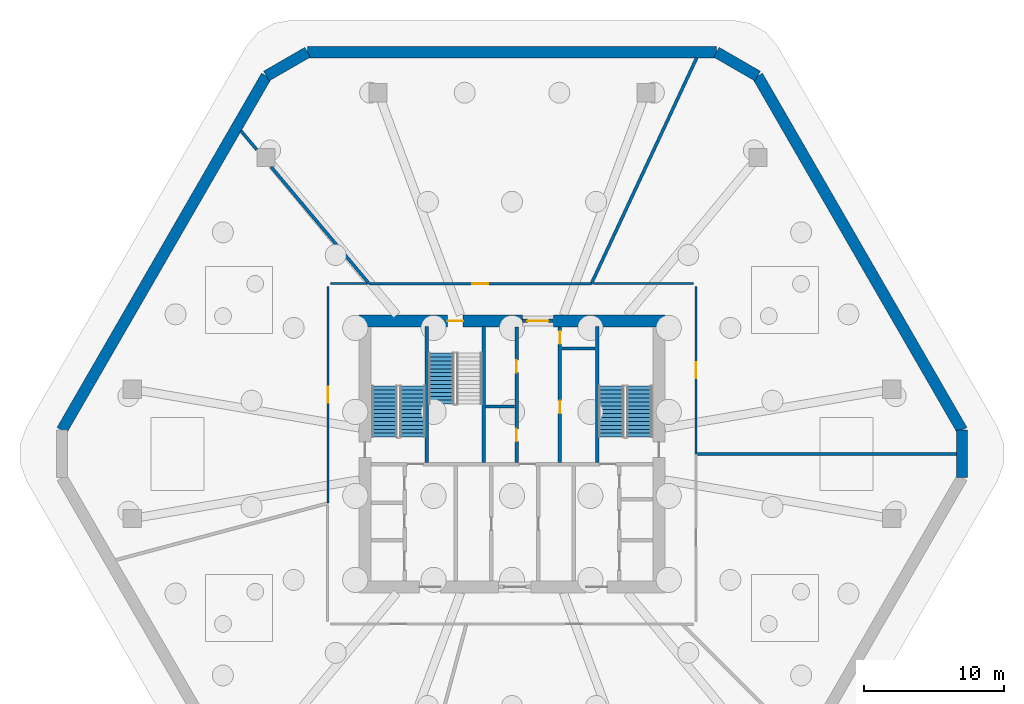
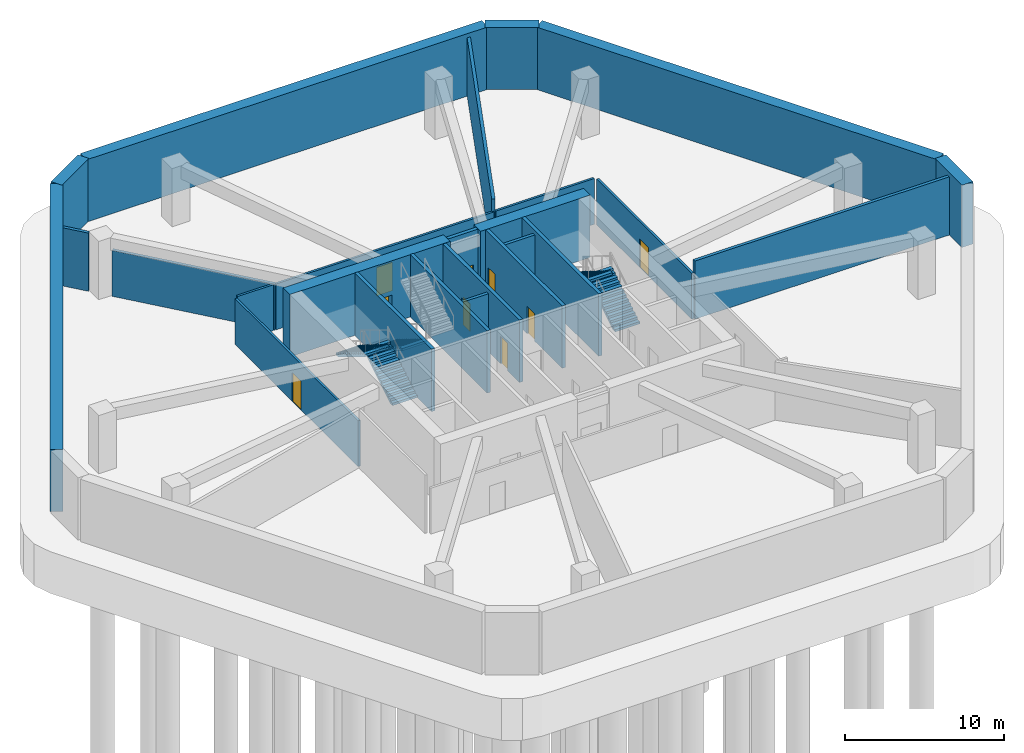
# One storey, part 3 of 5: 25 walls, 9 doors, 5 stair flights, 9 openings, 3 elements without a shape of their own.
"""IFC4 building model written with IfcOpenShell, lengths in metres."""

from ifc_helpers import new_model, si_unit, direction, frame, frame_2d, origin, place, context, subcontext, project, spatial, polyline, rectangle, outline, extrude, material, layer, layer_set, type_object, element, fill, aggregate, save


model = new_model("IFC4")

# Units and contexts
model_context = context("Model", 3, precision=1e-05, world=origin(), true_north=direction((0.0, 1.0)))
body_context = subcontext(model_context, "Body", "Model", "MODEL_VIEW")
ifc_project = project(units=[si_unit("LENGTHUNIT", "METRE"), si_unit("AREAUNIT", "SQUARE_METRE"), si_unit("VOLUMEUNIT", "CUBIC_METRE"), si_unit("PLANEANGLEUNIT", "RADIAN"), si_unit("MASSUNIT", "GRAM", prefix="KILO")], contexts=[model_context])

# Site, building, storey
site_placement = place(None, origin())
site = spatial("IfcSite", under=ifc_project, at=site_placement, CompositionType="ELEMENT")
building_placement = place(site_placement, origin())
building = spatial("IfcBuilding", under=site, at=building_placement, Name="Zuhravey Tower", CompositionType="ELEMENT")
storey_placement = place(building_placement, frame((0.0, 0.0, -9.60009765625)))
storey = spatial("IfcBuildingStorey", under=building, at=storey_placement, Name="B02", CompositionType="ELEMENT", Elevation=-9.60009765625)

# Walls
ifc_material_1 = material(Name="Concrete C50/60", Category="concrete")
ifc_layer_1 = layer(ifc_material_1, 0.800048828125)
ifc_layer_set_1 = layer_set([ifc_layer_1], Name="Concrete C50/60")
wall_type_1 = type_object("IfcWallType", Name="Basement Retaining Wall 800", PredefinedType="USERDEFINED", material=ifc_layer_set_1)
wall_1_placement = place(storey_placement, frame((68.156494140625, 30.300048828125, 0.0), z_axis=(0.0, 0.0, 1.0), x_axis=(0.0, 1.0, 0.0)))
element("IfcWall", 1, at=wall_1_placement, inside=storey, type_object=wall_type_1, Name="B02 Retaining Wall RW80-01", ObjectType="RETAININGWALL", PredefinedType="USERDEFINED", context=body_context, shape_type="SweptSolid", body=[
    extrude(rectangle(XDim=3.39990234375, YDim=0.800048828125, at=frame_2d((1.699951171875, 0.0))), origin(), (0.0, 0.0, 1.0), 4.800048828125),
])
wall_2_placement = place(storey_placement, frame((68.156494140625, 33.699951171875, 0.0), z_axis=(0.0, 0.0, 1.0), x_axis=(-0.499995192696, 0.866028179265, 0.0)))
element("IfcWall", 2, at=wall_2_placement, inside=storey, type_object=wall_type_1, Name="B02 Retaining Wall RW80-02", ObjectType="RETAININGWALL", PredefinedType="USERDEFINED", context=body_context, shape_type="SweptSolid", body=[
    extrude(rectangle(XDim=29.212158203125, YDim=0.800048828125, at=frame_2d((14.60595703125, 0.0))), origin(), (0.0, 0.0, 1.0), 4.800048828125),
])
wall_3_placement = place(storey_placement, frame((53.550537109375, 58.99853515625, 0.0), z_axis=(0.0, 0.0, 1.0), x_axis=(-0.866020560687, 0.500008388397, 0.0)))
element("IfcWall", 3, at=wall_3_placement, inside=storey, type_object=wall_type_1, Name="B02 Retaining Wall RW80-03", ObjectType="RETAININGWALL", PredefinedType="USERDEFINED", context=body_context, shape_type="SweptSolid", body=[
    extrude(rectangle(XDim=3.39990234375, YDim=0.800048828125, at=frame_2d((1.699951171875, 0.0))), origin(), (0.0, 0.0, 1.0), 4.800048828125),
])
wall_4_placement = place(storey_placement, frame((50.606201171875, 60.698486328125, 0.0), z_axis=(0.0, 0.0, 1.0), x_axis=(-1.0, 0.0, 0.0)))
element("IfcWall", 4, at=wall_4_placement, inside=storey, type_object=wall_type_1, Name="B02 Retaining Wall RW80-04", ObjectType="RETAININGWALL", PredefinedType="USERDEFINED", context=body_context, shape_type="SweptSolid", body=[
    extrude(rectangle(XDim=29.21240234375, YDim=0.800048828125, at=frame_2d((14.606201171875, 0.0))), origin(), (0.0, 0.0, 1.0), 4.800048828125),
])
wall_5_placement = place(storey_placement, frame((21.393798828125, 60.698486328125, 0.0), z_axis=(0.0, 0.0, 1.0), x_axis=(-0.866020560687, -0.500008388397, 0.0)))
element("IfcWall", 5, at=wall_5_placement, inside=storey, type_object=wall_type_1, Name="B02 Retaining Wall RW80-05", ObjectType="RETAININGWALL", PredefinedType="USERDEFINED", context=body_context, shape_type="SweptSolid", body=[
    extrude(rectangle(XDim=3.39990234375, YDim=0.800048828125, at=frame_2d((1.699951171875, 0.0))), origin(), (0.0, 0.0, 1.0), 4.800048828125),
])
wall_6_placement = place(storey_placement, frame((18.449462890625, 58.99853515625, 0.0), z_axis=(0.0, 0.0, 1.0), x_axis=(-0.499995192696, -0.866028179265, 0.0)))
element("IfcWall", 6, at=wall_6_placement, inside=storey, type_object=wall_type_1, Name="B02 Retaining Wall RW80-06", ObjectType="RETAININGWALL", PredefinedType="USERDEFINED", context=body_context, shape_type="SweptSolid", body=[
    extrude(rectangle(XDim=29.212158203125, YDim=0.800048828125, at=frame_2d((14.60595703125, 0.0))), origin(), (0.0, 0.0, 1.0), 4.800048828125),
])
ifc_material_2 = material(Name="Concrete C60/75", Category="concrete")
ifc_layer_2 = layer(ifc_material_2, 0.85009765625)
ifc_layer_set_2 = layer_set([ifc_layer_2], Name="Concrete C60/75")
wall_type_2 = type_object("IfcWallType", Name="Core Shear Wall 850", PredefinedType="SHEAR", material=ifc_layer_set_2)
wall_7_placement = place(storey_placement, frame((46.925048828125, 41.5, 0.0), z_axis=(0.0, 0.0, 1.0), x_axis=(-1.0, 0.0, 0.0)))
element("IfcWall", 7, at=wall_7_placement, inside=storey, type_object=wall_type_2, Name="B02 North-East Core Shear Wall CW85", PredefinedType="SHEAR", context=body_context, shape_type="SweptSolid", body=[
    extrude(rectangle(XDim=7.97509765625, YDim=0.85009765625, at=frame_2d((3.987548828125, 0.0))), origin(), (0.0, 0.0, 1.0), 4.800048828125),
])

# Wall, opening, door
wall_8_placement = place(storey_placement, frame((36.75, 41.5, 0.0), z_axis=(0.0, 0.0, 1.0), x_axis=(-1.0, 0.0, 0.0)))
wall_8 = element("IfcWall", 8, at=wall_8_placement, inside=storey, type_object=wall_type_2, Name="B02 North-West Core Shear Wall CW85", PredefinedType="SHEAR", context=body_context, shape_type="SweptSolid", body=[
    extrude(rectangle(XDim=11.675048828125, YDim=0.85009765625, at=frame_2d((5.83740234375, 0.0))), origin(), (0.0, 0.0, 1.0), 4.800048828125),
])
opening_1_placement = place(wall_8_placement, frame((4.25, 0.0, 0.0)))
opening_1 = element("IfcOpeningElement", 9, at=opening_1_placement, cuts=wall_8, Name="Opening STD1", PredefinedType="OPENING", context=body_context, shape_type="SweptSolid", body=[
    extrude(rectangle(XDim=1.10009765625, YDim=2.14990234375, at=frame_2d((0.550048828125, 1.074951171875))), frame((0.0, 0.43701171875, 0.0), z_axis=(0.0, -1.0, 0.0), x_axis=(1.0, 0.0, 0.0)), (0.0, 0.0, 1.0), 0.8740234375),
])
ifc_material_3 = material(Name="Galvanised fire-rated steel leaf", Category="steel")
door_type_1 = type_object("IfcDoorType", Name="Protected Stair Fire Door 1100x2150", OperationType="NOTDEFINED", PredefinedType="USERDEFINED", material=ifc_material_3)
door_1_placement = place(opening_1_placement, origin())
door_1 = element("IfcDoor", 10, at=door_1_placement, inside=storey, type_object=door_type_1, Name="B02 Stair ST3 Door", ObjectType="EXITDOOR", OperationType="SINGLE_SWING_RIGHT", OverallHeight=2.14990234375, OverallWidth=1.10009765625, PredefinedType="USERDEFINED", context=body_context, shape_type="SweptSolid", body=[
    extrude(rectangle(XDim=1.10009765625, YDim=2.14990234375, at=frame_2d((0.550048828125, 1.074951171875))), frame((0.0, 0.02490234375, 0.0), z_axis=(0.0, -1.0, 0.0), x_axis=(1.0, 0.0, 0.0)), (0.0, 0.0, 1.0), 0.050048828125),
])
fill(opening_1, door_1)

ifc_material_4 = material(Name="Gypsum fire-rated stud partition")
ifc_layer_3 = layer(ifc_material_4, 0.159912109375)
ifc_layer_set_3 = layer_set([ifc_layer_3], Name="Gypsum fire-rated stud partition")
wall_type_3 = type_object("IfcWallType", Name="Corridor Fire Partition 160", PredefinedType="PARTITIONING", material=ifc_layer_set_3)
wall_9_placement = place(storey_placement, frame((49.155029296875, 32.0, 0.0), z_axis=(0.0, 0.0, 1.0), x_axis=(0.0, 1.0, 0.0)))
wall_9 = element("IfcWall", 11, at=wall_9_placement, inside=storey, type_object=wall_type_3, Name="B02 IW16 Partition 019", PredefinedType="PARTITIONING", context=body_context, shape_type="SweptSolid", body=[
    extrude(rectangle(XDim=11.97509765625, YDim=0.159912109375, at=frame_2d((5.987548828125, 0.0))), origin(), (0.0, 0.0, 1.0), 3.530029296875),
])
opening_2_placement = place(wall_9_placement, frame((5.41259765625, 0.0, 0.0)))
opening_2 = element("IfcOpeningElement", 12, at=opening_2_placement, cuts=wall_9, Name="Opening CLD1", PredefinedType="OPENING", context=body_context, shape_type="SweptSolid", body=[
    extrude(rectangle(XDim=1.14990234375, YDim=2.199951171875, at=frame_2d((0.574951171875, 1.10009765625))), frame((0.0, 0.092041015625, 0.0), z_axis=(0.0, -1.0, 0.0), x_axis=(1.0, 0.0, 0.0)), (0.0, 0.0, 1.0), 0.183837890625),
])
ifc_material_5 = material(Name="Acoustic timber leaf with vision lite", Category="wood")
door_type_2 = type_object("IfcDoorType", Name="Classroom Acoustic Door 1150x2200", OperationType="NOTDEFINED", PredefinedType="DOOR", material=ifc_material_5)
door_2_placement = place(opening_2_placement, frame((1.14990234375, 0.0, 0.0), z_axis=(0.0, 0.0, 1.0), x_axis=(-1.0, 0.0, 0.0)))
door_2 = element("IfcDoor", 13, at=door_2_placement, inside=storey, type_object=door_type_2, Name="B02 Door 019.1", OperationType="SINGLE_SWING_LEFT", OverallHeight=2.199951171875, OverallWidth=1.14990234375, PredefinedType="DOOR", context=body_context, shape_type="SweptSolid", body=[
    extrude(rectangle(XDim=1.14990234375, YDim=2.199951171875, at=frame_2d((0.574951171875, 1.10009765625))), frame((0.0, 0.02490234375, 0.0), z_axis=(0.0, -1.0, 0.0), x_axis=(1.0, 0.0, 0.0)), (0.0, 0.0, 1.0), 0.050048828125),
])
fill(opening_2, door_2)

wall_10_placement = place(storey_placement, frame((41.66796875, 44.155029296875, 0.0), z_axis=(0.0, 0.0, 1.0), x_axis=(-1.0, 0.0, 0.0)))
wall_10 = element("IfcWall", 14, at=wall_10_placement, inside=storey, type_object=wall_type_3, Name="B02 IW16 Partition 020", PredefinedType="PARTITIONING", context=body_context, shape_type="SweptSolid", body=[
    extrude(rectangle(XDim=15.8671875, YDim=0.159912109375, at=frame_2d((7.93359375, 0.0))), origin(), (0.0, 0.0, 1.0), 3.530029296875),
])
opening_3_placement = place(wall_10_placement, frame((7.358642578125, 0.0, 0.0)))
opening_3 = element("IfcOpeningElement", 15, at=opening_3_placement, cuts=wall_10, Name="Opening CLD1", PredefinedType="OPENING", context=body_context, shape_type="SweptSolid", body=[
    extrude(rectangle(XDim=1.14990234375, YDim=2.199951171875, at=frame_2d((0.574951171875, 1.10009765625))), frame((0.0, 0.092041015625, 0.0), z_axis=(0.0, -1.0, 0.0), x_axis=(1.0, 0.0, 0.0)), (0.0, 0.0, 1.0), 0.183837890625),
])
door_3_placement = place(opening_3_placement, frame((1.14990234375, 0.0, 0.0), z_axis=(0.0, 0.0, 1.0), x_axis=(-1.0, 0.0, 0.0)))
door_3 = element("IfcDoor", 16, at=door_3_placement, inside=storey, type_object=door_type_2, Name="B02 Door 020.1", OperationType="SINGLE_SWING_RIGHT", OverallHeight=2.199951171875, OverallWidth=1.14990234375, PredefinedType="DOOR", context=body_context, shape_type="SweptSolid", body=[
    extrude(rectangle(XDim=1.14990234375, YDim=2.199951171875, at=frame_2d((0.574951171875, 1.10009765625))), frame((0.0, 0.02490234375, 0.0), z_axis=(0.0, -1.0, 0.0), x_axis=(1.0, 0.0, 0.0)), (0.0, 0.0, 1.0), 0.050048828125),
])
fill(opening_3, door_3)

wall_11_placement = place(storey_placement, frame((22.844970703125, 43.97509765625, 0.0), z_axis=(0.0, 0.0, 1.0), x_axis=(0.0, -1.0, 0.0)))
wall_11 = element("IfcWall", 17, at=wall_11_placement, inside=storey, type_object=wall_type_3, Name="B02 IW16 Partition 021", PredefinedType="PARTITIONING", context=body_context, shape_type="SweptSolid", body=[
    extrude(rectangle(XDim=15.5, YDim=0.159912109375, at=frame_2d((7.75, 0.0))), origin(), (0.0, 0.0, 1.0), 3.530029296875),
])
opening_4_placement = place(wall_11_placement, frame((7.1748046875, 0.0, 0.0)))
opening_4 = element("IfcOpeningElement", 18, at=opening_4_placement, cuts=wall_11, Name="Opening CLD1", PredefinedType="OPENING", context=body_context, shape_type="SweptSolid", body=[
    extrude(rectangle(XDim=1.14990234375, YDim=2.199951171875, at=frame_2d((0.574951171875, 1.10009765625))), frame((0.0, 0.092041015625, 0.0), z_axis=(0.0, -1.0, 0.0), x_axis=(1.0, 0.0, 0.0)), (0.0, 0.0, 1.0), 0.183837890625),
])
door_4_placement = place(opening_4_placement, frame((1.14990234375, 0.0, 0.0), z_axis=(0.0, 0.0, 1.0), x_axis=(-1.0, 0.0, 0.0)))
door_4 = element("IfcDoor", 19, at=door_4_placement, inside=storey, type_object=door_type_2, Name="B02 Door 021.1", OperationType="SINGLE_SWING_LEFT", OverallHeight=2.199951171875, OverallWidth=1.14990234375, PredefinedType="DOOR", context=body_context, shape_type="SweptSolid", body=[
    extrude(rectangle(XDim=1.14990234375, YDim=2.199951171875, at=frame_2d((0.574951171875, 1.10009765625))), frame((0.0, 0.02490234375, 0.0), z_axis=(0.0, -1.0, 0.0), x_axis=(1.0, 0.0, 0.0)), (0.0, 0.0, 1.0), 0.050048828125),
])
fill(opening_4, door_4)

# Walls
wall_12_placement = place(storey_placement, frame((48.97509765625, 44.175048828125, 0.0), z_axis=(0.0, 0.0, 1.0), x_axis=(-1.0, 0.0, 0.0)))
element("IfcWall", 20, at=wall_12_placement, inside=storey, type_object=wall_type_3, Name="B02 IW16 Partition 034", PredefinedType="PARTITIONING", context=body_context, shape_type="SweptSolid", body=[
    extrude(rectangle(XDim=7.167724609375, YDim=0.159912109375, at=frame_2d((3.583984375, 0.0))), origin(), (0.0, 0.0, 1.0), 3.530029296875),
])
wall_13_placement = place(storey_placement, frame((25.6298828125, 44.175048828125, 0.0), z_axis=(0.0, 0.0, 1.0), x_axis=(-1.0, 0.0, 0.0)))
element("IfcWall", 21, at=wall_13_placement, inside=storey, type_object=wall_type_3, Name="B02 IW16 Partition 035", PredefinedType="PARTITIONING", context=body_context, shape_type="SweptSolid", body=[
    extrude(rectangle(XDim=2.60498046875, YDim=0.159912109375, at=frame_2d((1.302490234375, 0.0))), origin(), (0.0, 0.0, 1.0), 3.530029296875),
])

# Wall, opening, door
ifc_layer_4 = layer(ifc_material_1, 0.25)
ifc_layer_set_4 = layer_set([ifc_layer_4], Name="Concrete C50/60")
wall_type_4 = type_object("IfcWallType", Name="Firefighting Shaft & Stair Wall 250", PredefinedType="SOLIDWALL", material=ifc_layer_set_4)
wall_14_placement = place(storey_placement, frame((36.760009765625, 41.5, 0.0), z_axis=(0.0, 0.0, 1.0), x_axis=(1.0, 0.0, 0.0)))
wall_14 = element("IfcWall", 22, at=wall_14_placement, inside=storey, type_object=wall_type_4, Name="B02 FW25 Shaft Wall 002", PredefinedType="SOLIDWALL", context=body_context, shape_type="SweptSolid", body=[
    extrude(rectangle(XDim=2.179931640625, YDim=0.25, at=frame_2d((1.08984375, 0.0))), origin(), (0.0, 0.0, 1.0), 4.800048828125),
])
opening_5_placement = place(wall_14_placement, frame((0.340087890625, 0.0, 0.0)))
opening_5 = element("IfcOpeningElement", 23, at=opening_5_placement, cuts=wall_14, Name="Opening FFD1", PredefinedType="OPENING", context=body_context, shape_type="SweptSolid", body=[
    extrude(rectangle(XDim=1.5, YDim=2.14990234375, at=frame_2d((0.75, 1.074951171875))), frame((0.0, 0.136962890625, 0.0), z_axis=(0.0, -1.0, 0.0), x_axis=(1.0, 0.0, 0.0)), (0.0, 0.0, 1.0), 0.27392578125),
])
door_type_3 = type_object("IfcDoorType", Name="Firefighting Lobby Double Door 1500x2150", OperationType="DOUBLE_DOOR_SINGLE_SWING", PredefinedType="DOOR", material=ifc_material_3)
door_5_placement = place(opening_5_placement, origin())
door_5 = element("IfcDoor", 24, at=door_5_placement, inside=storey, type_object=door_type_3, Name="B02 North Lift Lobby Exit Door", OperationType="DOUBLE_DOOR_SINGLE_SWING", OverallHeight=2.14990234375, OverallWidth=1.5, PredefinedType="DOOR", context=body_context, shape_type="SweptSolid", body=[
    extrude(rectangle(XDim=1.5, YDim=2.14990234375, at=frame_2d((0.75, 1.074951171875))), frame((0.0, 0.02490234375, 0.0), z_axis=(0.0, -1.0, 0.0), x_axis=(1.0, 0.0, 0.0)), (0.0, 0.0, 1.0), 0.050048828125),
])
fill(opening_5, door_5)

# Walls
for number, where, z_axis, x_axis, name in (
    (25, (29.925048828125, 31.39990234375, 0.0), (0.0, 0.0, 1.0), (0.0, 1.0, 0.0), "B02 FW25 Shaft Wall 004"),
    (26, (33.97509765625, 31.39990234375, 0.0), (0.0, 0.0, 1.0), (0.0, 1.0, 0.0), "B02 FW25 Shaft Wall 005"),
    (27, (42.074951171875, 31.39990234375, 0.0), (0.0, 0.0, 1.0), (0.0, 1.0, 0.0), "B02 FW25 Shaft Wall 006"),
):
    element("IfcWall", number, at=place(storey_placement, frame(where, z_axis=z_axis, x_axis=x_axis)), inside=storey, type_object=wall_type_4, Name=name, PredefinedType="SOLIDWALL", context=body_context, shape_type="SweptSolid", body=[
        extrude(rectangle(XDim=9.7001953125, YDim=0.25, at=frame_2d((4.85009765625, 0.0))), origin(), (0.0, 0.0, 1.0), 4.800048828125),
    ])

# Wall, openings, doors
wall_15_placement = place(storey_placement, frame((36.324951171875, 31.39990234375, 0.0), z_axis=(0.0, 0.0, 1.0), x_axis=(0.0, 1.0, 0.0)))
wall_15 = element("IfcWall", 28, at=wall_15_placement, inside=storey, type_object=wall_type_4, Name="B02 FW25 Shaft Wall 007", PredefinedType="SOLIDWALL", context=body_context, shape_type="SweptSolid", body=[
    extrude(rectangle(XDim=9.650146484375, YDim=0.25, at=frame_2d((4.8251953125, 0.0))), origin(), (0.0, 0.0, 1.0), 4.800048828125),
])
opening_6_placement = place(wall_15_placement, frame((1.489990234375, 0.0, 0.0)))
opening_6 = element("IfcOpeningElement", 29, at=opening_6_placement, cuts=wall_15, Name="Opening RSD1", PredefinedType="OPENING", context=body_context, shape_type="SweptSolid", body=[
    extrude(rectangle(XDim=0.89990234375, YDim=2.10009765625, at=frame_2d((0.449951171875, 1.050048828125))), frame((0.0, 0.136962890625, 0.0), z_axis=(0.0, -1.0, 0.0), x_axis=(1.0, 0.0, 0.0)), (0.0, 0.0, 1.0), 0.27392578125),
])
opening_7_placement = place(wall_15_placement, frame((6.409912109375, 0.0, 0.0)))
opening_7 = element("IfcOpeningElement", 30, at=opening_7_placement, cuts=wall_15, Name="Opening RSD1", PredefinedType="OPENING", context=body_context, shape_type="SweptSolid", body=[
    extrude(rectangle(XDim=0.89990234375, YDim=2.10009765625, at=frame_2d((0.449951171875, 1.050048828125))), frame((0.0, 0.136962890625, 0.0), z_axis=(0.0, -1.0, 0.0), x_axis=(1.0, 0.0, 0.0)), (0.0, 0.0, 1.0), 0.27392578125),
])
ifc_material_6 = material(Name="Galvanised fire-rated steel access leaf", Category="steel")
door_type_4 = type_object("IfcDoorType", Name="Riser & Shaft Access Fire Door 900x2100", OperationType="NOTDEFINED", PredefinedType="DOOR", material=ifc_material_6)
door_6_placement = place(opening_6_placement, origin())
door_6 = element("IfcDoor", 31, at=door_6_placement, inside=storey, type_object=door_type_4, Name="B02 Core Cleaner Store Door", OperationType="SINGLE_SWING_RIGHT", OverallHeight=2.10009765625, OverallWidth=0.89990234375, PredefinedType="DOOR", context=body_context, shape_type="SweptSolid", body=[
    extrude(rectangle(XDim=0.89990234375, YDim=2.10009765625, at=frame_2d((0.449951171875, 1.050048828125))), frame((0.0, 0.02490234375, 0.0), z_axis=(0.0, -1.0, 0.0), x_axis=(1.0, 0.0, 0.0)), (0.0, 0.0, 1.0), 0.050048828125),
])
fill(opening_6, door_6)
door_7_placement = place(opening_7_placement, origin())
door_7 = element("IfcDoor", 32, at=door_7_placement, inside=storey, type_object=door_type_4, Name="B02 Core Pantry and Tea Room Door", OperationType="SINGLE_SWING_LEFT", OverallHeight=2.10009765625, OverallWidth=0.89990234375, PredefinedType="DOOR", context=body_context, shape_type="SweptSolid", body=[
    extrude(rectangle(XDim=0.89990234375, YDim=2.10009765625, at=frame_2d((0.449951171875, 1.050048828125))), frame((0.0, 0.02490234375, 0.0), z_axis=(0.0, -1.0, 0.0), x_axis=(1.0, 0.0, 0.0)), (0.0, 0.0, 1.0), 0.050048828125),
])
fill(opening_7, door_7)

wall_16_placement = place(storey_placement, frame((39.425048828125, 31.39990234375, 0.0), z_axis=(0.0, 0.0, 1.0), x_axis=(0.0, 1.0, 0.0)))
wall_16 = element("IfcWall", 33, at=wall_16_placement, inside=storey, type_object=wall_type_4, Name="B02 FW25 Shaft Wall 008", PredefinedType="SOLIDWALL", context=body_context, shape_type="SweptSolid", body=[
    extrude(rectangle(XDim=9.650146484375, YDim=0.25, at=frame_2d((4.8251953125, 0.0))), origin(), (0.0, 0.0, 1.0), 4.800048828125),
])
opening_8_placement = place(wall_16_placement, frame((3.5, 0.0, 0.0)))
opening_8 = element("IfcOpeningElement", 34, at=opening_8_placement, cuts=wall_16, Name="Opening RSD1", PredefinedType="OPENING", context=body_context, shape_type="SweptSolid", body=[
    extrude(rectangle(XDim=0.89990234375, YDim=2.10009765625, at=frame_2d((0.449951171875, 1.050048828125))), frame((0.0, 0.136962890625, 0.0), z_axis=(0.0, -1.0, 0.0), x_axis=(1.0, 0.0, 0.0)), (0.0, 0.0, 1.0), 0.27392578125),
])
opening_9_placement = place(wall_16_placement, frame((8.469970703125, 0.0, 0.0)))
opening_9 = element("IfcOpeningElement", 35, at=opening_9_placement, cuts=wall_16, Name="Opening RSD1", PredefinedType="OPENING", context=body_context, shape_type="SweptSolid", body=[
    extrude(rectangle(XDim=0.89990234375, YDim=2.10009765625, at=frame_2d((0.449951171875, 1.050048828125))), frame((0.0, 0.136962890625, 0.0), z_axis=(0.0, -1.0, 0.0), x_axis=(1.0, 0.0, 0.0)), (0.0, 0.0, 1.0), 0.27392578125),
])
door_8_placement = place(opening_8_placement, frame((0.89990234375, 0.0, 0.0), z_axis=(0.0, 0.0, 1.0), x_axis=(-1.0, 0.0, 0.0)))
door_8 = element("IfcDoor", 36, at=door_8_placement, inside=storey, type_object=door_type_4, Name="B02 Core Equipment Door", OperationType="SINGLE_SWING_RIGHT", OverallHeight=2.10009765625, OverallWidth=0.89990234375, PredefinedType="DOOR", context=body_context, shape_type="SweptSolid", body=[
    extrude(rectangle(XDim=0.89990234375, YDim=2.10009765625, at=frame_2d((0.449951171875, 1.050048828125))), frame((0.0, 0.02490234375, 0.0), z_axis=(0.0, -1.0, 0.0), x_axis=(1.0, 0.0, 0.0)), (0.0, 0.0, 1.0), 0.050048828125),
])
fill(opening_8, door_8)
door_9_placement = place(opening_9_placement, origin())
door_9 = element("IfcDoor", 37, at=door_9_placement, inside=storey, type_object=door_type_4, Name="B02 North Riser Door", OperationType="SINGLE_SWING_LEFT", OverallHeight=2.10009765625, OverallWidth=0.89990234375, PredefinedType="DOOR", context=body_context, shape_type="SweptSolid", body=[
    extrude(rectangle(XDim=0.89990234375, YDim=2.10009765625, at=frame_2d((0.449951171875, 1.050048828125))), frame((0.0, 0.02490234375, 0.0), z_axis=(0.0, -1.0, 0.0), x_axis=(1.0, 0.0, 0.0)), (0.0, 0.0, 1.0), 0.050048828125),
])
fill(opening_9, door_9)

# Walls
ifc_material_7 = material(Name="Gypsum acoustic stud assembly")
ifc_layer_5 = layer(ifc_material_7, 0.219970703125)
ifc_layer_set_5 = layer_set([ifc_layer_5], Name="Gypsum acoustic stud assembly")
wall_type_5 = type_object("IfcWallType", Name="School Acoustic Compartment Wall 220", PredefinedType="PARTITIONING", material=ifc_layer_set_5)
wall_17_placement = place(storey_placement, frame((34.10791015625, 35.39990234375, 0.0), z_axis=(0.0, 0.0, 1.0), x_axis=(1.0, 0.0, 0.0)))
element("IfcWall", 38, at=wall_17_placement, inside=storey, type_object=wall_type_5, Name="B02 IW22 Partition 025", PredefinedType="PARTITIONING", context=body_context, shape_type="SweptSolid", body=[
    extrude(rectangle(XDim=2.083984375, YDim=0.219970703125, at=frame_2d((1.0419921875, 0.0))), origin(), (0.0, 0.0, 1.0), 4.47998046875),
])
wall_18_placement = place(storey_placement, frame((39.55810546875, 39.52490234375, 0.0), z_axis=(0.0, 0.0, 1.0), x_axis=(1.0, 0.0, 0.0)))
element("IfcWall", 39, at=wall_18_placement, inside=storey, type_object=wall_type_5, Name="B02 IW22 Partition 026", PredefinedType="PARTITIONING", context=body_context, shape_type="SweptSolid", body=[
    extrude(rectangle(XDim=2.3837890625, YDim=0.219970703125, at=frame_2d((1.19189453125, 0.0))), origin(), (0.0, 0.0, 1.0), 4.47998046875),
])
wall_19_placement = place(storey_placement, frame((49.242919921875, 32.0, 0.0), z_axis=(0.0, 0.0, 1.0), x_axis=(1.0, 0.0, 0.0)))
element("IfcWall", 40, at=wall_19_placement, inside=storey, type_object=wall_type_5, Name="B02 IW22 Partition 027", PredefinedType="PARTITIONING", context=body_context, shape_type="SweptSolid", body=[
    extrude(rectangle(XDim=18.99951171875, YDim=0.219970703125, at=frame_2d((9.499755859375, 0.0))), origin(), (0.0, 0.0, 1.0), 4.47998046875),
])
wall_20_placement = place(storey_placement, frame((41.66796875, 44.1552734375, 0.0), z_axis=(0.0, 0.0, 1.0), x_axis=(0.422619402955, 0.906307254879, 0.0)))
element("IfcWall", 41, at=wall_20_placement, inside=storey, type_object=wall_type_5, Name="B02 IW22 Partition 028", PredefinedType="PARTITIONING", context=body_context, shape_type="SweptSolid", body=[
    extrude(rectangle(XDim=17.834228515625, YDim=0.219970703125, at=frame_2d((8.9169921875, 0.0))), origin(), (0.0, 0.0, 1.0), 4.47998046875),
])
wall_21_placement = place(storey_placement, frame((25.80078125, 44.155029296875, 0.0), z_axis=(0.0, 0.0, 1.0), x_axis=(-0.642783366618, 0.766048003456, 0.0)))
element("IfcWall", 42, at=wall_21_placement, inside=storey, type_object=wall_type_5, Name="B02 IW22 Partition 029", PredefinedType="PARTITIONING", context=body_context, shape_type="SweptSolid", body=[
    extrude(rectangle(XDim=10.915283203125, YDim=0.219970703125, at=frame_2d((5.45751953125, 0.0))), origin(), (0.0, 0.0, 1.0), 3.530029296875),
])
wall_22_placement = place(storey_placement, frame((17.761962890625, 53.735107421875, 0.0), z_axis=(0.0, 0.0, 1.0), x_axis=(-0.642782728253, 0.766048539101, 0.0)))
element("IfcWall", 43, at=wall_22_placement, inside=storey, type_object=wall_type_5, Name="B02 IW22 Partition 030", PredefinedType="PARTITIONING", context=body_context, shape_type="SweptSolid", body=[
    extrude(rectangle(XDim=1.7626953125, YDim=0.219970703125, at=frame_2d((0.88134765625, 0.0))), origin(), (0.0, 0.0, 1.0), 4.47998046875),
])

# Stair, stair flights
ifc_material_8 = material(Name="Concrete C40/50", Category="concrete")
stair_type = type_object("IfcStairType", Name="Basement Stair Assembly 4800", PredefinedType="HALF_TURN_STAIR", material=ifc_material_8)
stair_1_placement = place(storey_placement, origin())
stair_1 = element("IfcStair", 44, at=stair_1_placement, inside=storey, type_object=stair_type, Name="B02 Core Exit Stair ST1", PredefinedType="HALF_TURN_STAIR")
stair_flight_type = type_object("IfcStairFlightType", Name="Basement Stair Flight 4800", PredefinedType="STRAIGHT", material=ifc_material_8)
stair_flight_1_placement = place(storey_placement, frame((28.89990234375, 33.199951171875, 0.0), z_axis=(0.0, 0.0, 1.0), x_axis=(0.0, 1.0, 0.0)))
stair_flight_1 = element("IfcStairFlight", 45, at=stair_flight_1_placement, type_object=stair_flight_type, Name="ST1 flight 1", NumberOfRisers=14, NumberOfTreads=13, PredefinedType="STRAIGHT", RiserHeight=0.171428571, TreadLength=0.28, context=body_context, shape_type="SweptSolid", body=[
    extrude(outline(polyline([(0.0, 0.0), (0.0, 0.17138671875), (0.280029296875, 0.17138671875), (0.280029296875, 0.3427734375), (0.56005859375, 0.3427734375), (0.56005859375, 0.514404296875), (0.840087890625, 0.514404296875), (0.840087890625, 0.685791015625), (1.1201171875, 0.685791015625), (1.1201171875, 0.857177734375), (1.39990234375, 0.857177734375), (1.39990234375, 1.028564453125), (1.679931640625, 1.028564453125), (1.679931640625, 1.199951171875), (1.9599609375, 1.199951171875), (1.9599609375, 1.371337890625), (2.239990234375, 1.371337890625), (2.239990234375, 1.54296875), (2.52001953125, 1.54296875), (2.52001953125, 1.71435546875), (2.800048828125, 1.71435546875), (2.800048828125, 1.8857421875), (3.080078125, 1.8857421875), (3.080078125, 2.05712890625), (3.360107421875, 2.05712890625), (3.360107421875, 2.228515625), (3.639892578125, 2.228515625), (3.639892578125, 2.39990234375), (3.639892578125, 2.052734375), (0.287109375, 0.0), (0.0, 0.0)])), frame((0.0, 0.89990234375, 0.0), z_axis=(0.0, -1.0, 0.0), x_axis=(1.0, 0.0, 0.0)), (0.0, 0.0, 1.0), 1.800048828125),
])
stair_flight_2_placement = place(storey_placement, frame((26.89990234375, 36.840087890625, 2.400146484375), z_axis=(0.0, 0.0, 1.0), x_axis=(0.0, -1.0, 0.0)))
stair_flight_2 = element("IfcStairFlight", 46, at=stair_flight_2_placement, type_object=stair_flight_type, Name="ST1 flight 2", NumberOfRisers=14, NumberOfTreads=13, PredefinedType="STRAIGHT", RiserHeight=0.171428571, TreadLength=0.28, context=body_context, shape_type="SweptSolid", body=[
    extrude(outline(polyline([(0.0, 0.0), (0.0, 0.17138671875), (0.280029296875, 0.17138671875), (0.280029296875, 0.3427734375), (0.56005859375, 0.3427734375), (0.56005859375, 0.514404296875), (0.840087890625, 0.514404296875), (0.840087890625, 0.685791015625), (1.1201171875, 0.685791015625), (1.1201171875, 0.857177734375), (1.39990234375, 0.857177734375), (1.39990234375, 1.028564453125), (1.679931640625, 1.028564453125), (1.679931640625, 1.199951171875), (1.9599609375, 1.199951171875), (1.9599609375, 1.371337890625), (2.239990234375, 1.371337890625), (2.239990234375, 1.54296875), (2.52001953125, 1.54296875), (2.52001953125, 1.71435546875), (2.800048828125, 1.71435546875), (2.800048828125, 1.8857421875), (3.080078125, 1.8857421875), (3.080078125, 2.05712890625), (3.360107421875, 2.05712890625), (3.360107421875, 2.228515625), (3.639892578125, 2.228515625), (3.639892578125, 2.39990234375), (3.639892578125, 2.052734375), (0.287109375, 0.0), (0.0, 0.0)])), frame((0.0, 0.89990234375, 0.0), z_axis=(0.0, -1.0, 0.0), x_axis=(1.0, 0.0, 0.0)), (0.0, 0.0, 1.0), 1.800048828125),
])
aggregate(stair_1, [stair_flight_1, stair_flight_2])

stair_2_placement = place(storey_placement, origin())
stair_2 = element("IfcStair", 47, at=stair_2_placement, inside=storey, type_object=stair_type, Name="B02 Core Exit Stair ST2", PredefinedType="HALF_TURN_STAIR")
stair_flight_3_placement = place(storey_placement, frame((45.10009765625, 33.199951171875, 0.0), z_axis=(0.0, 0.0, 1.0), x_axis=(0.0, 1.0, 0.0)))
stair_flight_3 = element("IfcStairFlight", 48, at=stair_flight_3_placement, type_object=stair_flight_type, Name="ST2 flight 1", NumberOfRisers=14, NumberOfTreads=13, PredefinedType="STRAIGHT", RiserHeight=0.171428571, TreadLength=0.28, context=body_context, shape_type="SweptSolid", body=[
    extrude(outline(polyline([(0.0, 0.0), (0.0, 0.17138671875), (0.280029296875, 0.17138671875), (0.280029296875, 0.3427734375), (0.56005859375, 0.3427734375), (0.56005859375, 0.514404296875), (0.840087890625, 0.514404296875), (0.840087890625, 0.685791015625), (1.1201171875, 0.685791015625), (1.1201171875, 0.857177734375), (1.39990234375, 0.857177734375), (1.39990234375, 1.028564453125), (1.679931640625, 1.028564453125), (1.679931640625, 1.199951171875), (1.9599609375, 1.199951171875), (1.9599609375, 1.371337890625), (2.239990234375, 1.371337890625), (2.239990234375, 1.54296875), (2.52001953125, 1.54296875), (2.52001953125, 1.71435546875), (2.800048828125, 1.71435546875), (2.800048828125, 1.8857421875), (3.080078125, 1.8857421875), (3.080078125, 2.05712890625), (3.360107421875, 2.05712890625), (3.360107421875, 2.228515625), (3.639892578125, 2.228515625), (3.639892578125, 2.39990234375), (3.639892578125, 2.052734375), (0.287109375, 0.0), (0.0, 0.0)])), frame((0.0, 0.89990234375, 0.0), z_axis=(0.0, -1.0, 0.0), x_axis=(1.0, 0.0, 0.0)), (0.0, 0.0, 1.0), 1.800048828125),
])
stair_flight_4_placement = place(storey_placement, frame((43.10009765625, 36.840087890625, 2.400146484375), z_axis=(0.0, 0.0, 1.0), x_axis=(0.0, -1.0, 0.0)))
stair_flight_4 = element("IfcStairFlight", 49, at=stair_flight_4_placement, type_object=stair_flight_type, Name="ST2 flight 2", NumberOfRisers=14, NumberOfTreads=13, PredefinedType="STRAIGHT", RiserHeight=0.171428571, TreadLength=0.28, context=body_context, shape_type="SweptSolid", body=[
    extrude(outline(polyline([(0.0, 0.0), (0.0, 0.17138671875), (0.280029296875, 0.17138671875), (0.280029296875, 0.3427734375), (0.56005859375, 0.3427734375), (0.56005859375, 0.514404296875), (0.840087890625, 0.514404296875), (0.840087890625, 0.685791015625), (1.1201171875, 0.685791015625), (1.1201171875, 0.857177734375), (1.39990234375, 0.857177734375), (1.39990234375, 1.028564453125), (1.679931640625, 1.028564453125), (1.679931640625, 1.199951171875), (1.9599609375, 1.199951171875), (1.9599609375, 1.371337890625), (2.239990234375, 1.371337890625), (2.239990234375, 1.54296875), (2.52001953125, 1.54296875), (2.52001953125, 1.71435546875), (2.800048828125, 1.71435546875), (2.800048828125, 1.8857421875), (3.080078125, 1.8857421875), (3.080078125, 2.05712890625), (3.360107421875, 2.05712890625), (3.360107421875, 2.228515625), (3.639892578125, 2.228515625), (3.639892578125, 2.39990234375), (3.639892578125, 2.052734375), (0.287109375, 0.0), (0.0, 0.0)])), frame((0.0, 0.89990234375, 0.0), z_axis=(0.0, -1.0, 0.0), x_axis=(1.0, 0.0, 0.0)), (0.0, 0.0, 1.0), 1.800048828125),
])
aggregate(stair_2, [stair_flight_3, stair_flight_4])

# Stair, stair flight
stair_3_placement = place(storey_placement, origin())
stair_3 = element("IfcStair", 50, at=stair_3_placement, inside=storey, type_object=stair_type, Name="B02 Core Exit Stair ST3", PredefinedType="HALF_TURN_STAIR")
stair_flight_5_placement = place(storey_placement, frame((30.949951171875, 39.199951171875, 0.0), z_axis=(0.0, 0.0, 1.0), x_axis=(0.0, -1.0, 0.0)))
stair_flight_5 = element("IfcStairFlight", 51, at=stair_flight_5_placement, type_object=stair_flight_type, Name="ST3 flight 1", NumberOfRisers=14, NumberOfTreads=13, PredefinedType="STRAIGHT", RiserHeight=0.171428571, TreadLength=0.28, context=body_context, shape_type="SweptSolid", body=[
    extrude(outline(polyline([(0.0, 0.0), (0.0, 0.17138671875), (0.280029296875, 0.17138671875), (0.280029296875, 0.3427734375), (0.56005859375, 0.3427734375), (0.56005859375, 0.514404296875), (0.840087890625, 0.514404296875), (0.840087890625, 0.685791015625), (1.1201171875, 0.685791015625), (1.1201171875, 0.857177734375), (1.39990234375, 0.857177734375), (1.39990234375, 1.028564453125), (1.679931640625, 1.028564453125), (1.679931640625, 1.199951171875), (1.9599609375, 1.199951171875), (1.9599609375, 1.371337890625), (2.239990234375, 1.371337890625), (2.239990234375, 1.54296875), (2.52001953125, 1.54296875), (2.52001953125, 1.71435546875), (2.800048828125, 1.71435546875), (2.800048828125, 1.8857421875), (3.080078125, 1.8857421875), (3.080078125, 2.05712890625), (3.360107421875, 2.05712890625), (3.360107421875, 2.228515625), (3.639892578125, 2.228515625), (3.639892578125, 2.39990234375), (3.639892578125, 2.052734375), (0.287109375, 0.0), (0.0, 0.0)])), frame((0.0, 0.89990234375, 0.0), z_axis=(0.0, -1.0, 0.0), x_axis=(1.0, 0.0, 0.0)), (0.0, 0.0, 1.0), 1.800048828125),
])
aggregate(stair_3, [stair_flight_5])

save(model, "model.ifc")
